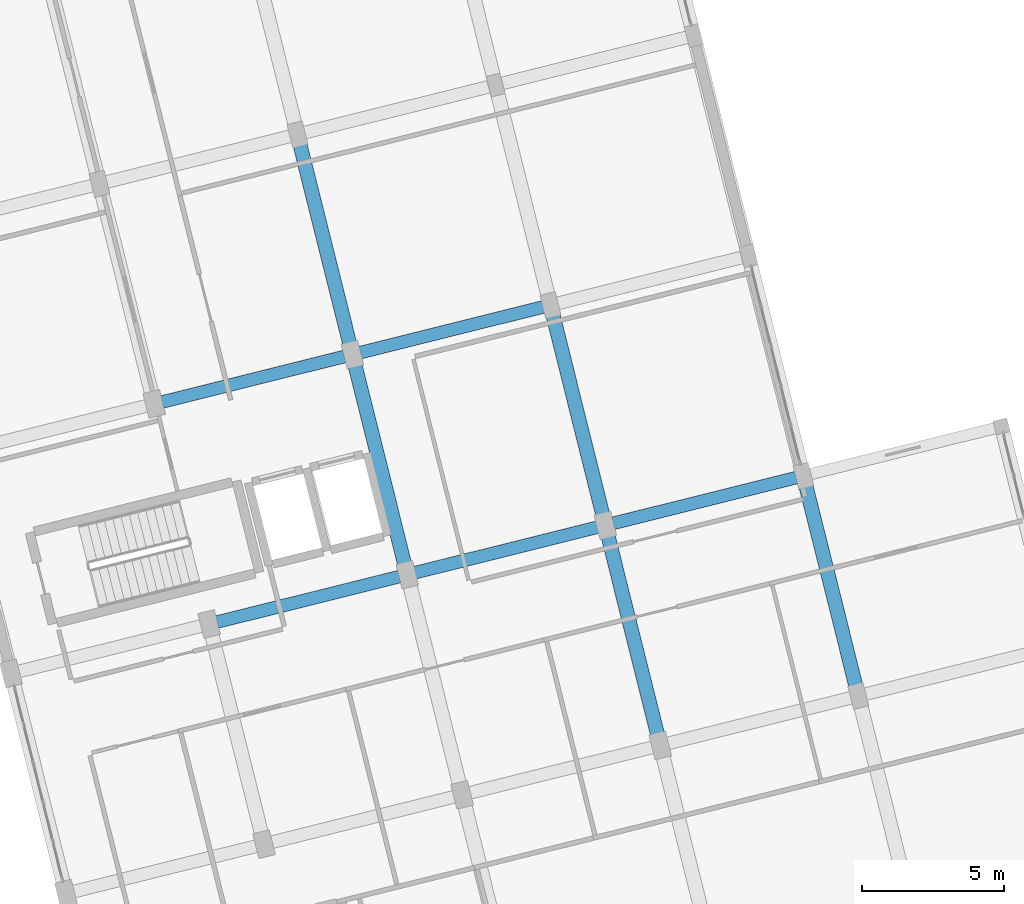
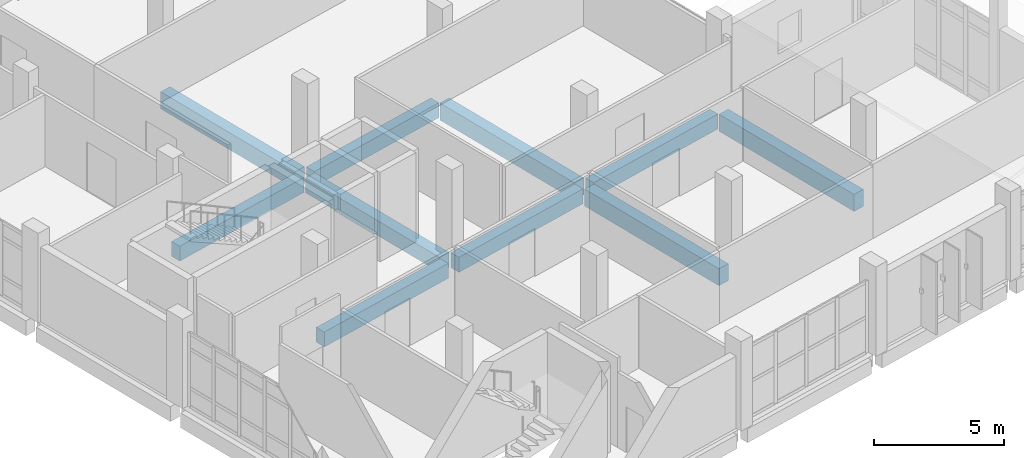
# One storey, part 111 of 164: 10 beams.
"""IFC4 building model written with IfcOpenShell, lengths in metres."""

from ifc_helpers import new_model, si_unit, direction, frame, origin, origin_2d, place, context, subcontext, project, spatial, rectangle, extrude, material, material_profile, profile_set, type_object, element, save


model = new_model("IFC4")

# Units and contexts
model_context = context("Model", 3, precision=1e-05, world=origin(), true_north=direction((0.0, 1.0)))
body_context = subcontext(model_context, "Body", "Model", "MODEL_VIEW")
ifc_project = project(units=[si_unit("LENGTHUNIT", "METRE"), si_unit("AREAUNIT", "SQUARE_METRE"), si_unit("VOLUMEUNIT", "CUBIC_METRE"), si_unit("PLANEANGLEUNIT", "RADIAN"), si_unit("MASSUNIT", "GRAM", prefix="KILO")], contexts=[model_context])

# Site, building, storey
site_placement = place(None, origin())
site = spatial("IfcSite", under=ifc_project, at=site_placement, CompositionType="ELEMENT")
building_placement = place(site_placement, origin())
building = spatial("IfcBuilding", under=site, at=building_placement, Name="Mawjan Specialist Oncology Clinic", CompositionType="ELEMENT")
storey_placement = place(building_placement, frame((0.0, 0.0, 5.0)))
storey = spatial("IfcBuildingStorey", under=building, at=storey_placement, Name="L01", CompositionType="ELEMENT", Elevation=5.0)

# Beams
ifc_material_1 = material(Name="Concrete C40/50", Category="concrete")
ifc_material_profile_1 = material_profile(ifc_material_1, rectangle(XDim=0.449951171875, YDim=0.699951171875, at=origin_2d()), Name="RC BM 450x700", Category="concrete")
ifc_profile_set_1 = profile_set([ifc_material_profile_1], Name="Concrete C40/50")
beam_type_1 = type_object("IfcBeamType", Name="BM-450x700", PredefinedType="BEAM", material=ifc_profile_set_1)
beam_1_placement = place(storey_placement, frame((129.391845703125, 18.135498046875, -0.64990234375), z_axis=(0.970293935913, 0.241929076241, 0.0), x_axis=(-0.241929076241, 0.970293935913, 0.0)))
element("IfcBeam", 1, at=beam_1_placement, inside=storey, type_object=beam_type_1, Name="L01 Collector Beam BM-L01-0596", PredefinedType="BEAM", context=body_context, shape_type="SweptSolid", body=[
    extrude(rectangle(XDim=0.449951171875, YDim=0.699951171875, at=origin_2d()), origin(), (0.0, 0.0, 1.0), 6.630126953125),
])
beam_2_placement = place(storey_placement, frame((136.3779296875, 19.87744140625, -0.64990234375), z_axis=(0.970302579357, 0.241894407734, 0.0), x_axis=(-0.241894407734, 0.970302579357, 0.0)))
element("IfcBeam", 2, at=beam_2_placement, inside=storey, type_object=beam_type_1, Name="L01 Collector Beam BM-L01-0597", PredefinedType="BEAM", context=body_context, shape_type="SweptSolid", body=[
    extrude(rectangle(XDim=0.449951171875, YDim=0.699951171875, at=origin_2d()), origin(), (0.0, 0.0, 1.0), 6.6298828125),
])
beam_3_placement = place(storey_placement, frame((143.3642578125, 21.619140625, -0.64990234375), z_axis=(0.970291216741, 0.24193998164, 0.0), x_axis=(-0.24193998164, 0.970291216741, 0.0)))
element("IfcBeam", 3, at=beam_3_placement, inside=storey, type_object=beam_type_1, Name="L01 Collector Beam BM-L01-0598", PredefinedType="BEAM", context=body_context, shape_type="SweptSolid", body=[
    extrude(rectangle(XDim=0.449951171875, YDim=0.699951171875, at=origin_2d()), origin(), (0.0, 0.0, 1.0), 6.655029296875),
])
beam_4_placement = place(storey_placement, frame((127.45654296875, 25.89794921875, -0.64990234375), z_axis=(0.970302579357, 0.241894407734, 0.0), x_axis=(-0.241894407734, 0.970302579357, 0.0)))
element("IfcBeam", 4, at=beam_4_placement, inside=storey, type_object=beam_type_1, Name="L01 Collector Beam BM-L01-0601", PredefinedType="BEAM", context=body_context, shape_type="SweptSolid", body=[
    extrude(rectangle(XDim=0.449951171875, YDim=0.699951171875, at=origin_2d()), origin(), (0.0, 0.0, 1.0), 6.6298828125),
])
beam_5_placement = place(storey_placement, frame((134.442626953125, 27.6396484375, -0.64990234375), z_axis=(0.970291216741, 0.24193998164, 0.0), x_axis=(-0.24193998164, 0.970291216741, 0.0)))
element("IfcBeam", 5, at=beam_5_placement, inside=storey, type_object=beam_type_1, Name="L01 Collector Beam BM-L01-0602", PredefinedType="BEAM", context=body_context, shape_type="SweptSolid", body=[
    extrude(rectangle(XDim=0.449951171875, YDim=0.699951171875, at=origin_2d()), origin(), (0.0, 0.0, 1.0), 6.655029296875),
])
ifc_material_2 = material(Name="Concrete C45/55", Category="concrete")
ifc_material_profile_2 = material_profile(ifc_material_2, rectangle(XDim=0.5, YDim=0.800048828125, at=origin_2d()), Name="RC BM 500x800", Category="concrete")
ifc_profile_set_2 = profile_set([ifc_material_profile_2], Name="Concrete C45/55")
beam_type_2 = type_object("IfcBeamType", Name="BM-500x800", PredefinedType="BEAM", material=ifc_profile_set_2)
beam_6_placement = place(storey_placement, frame((134.09716796875, 27.847412109375, -0.699951171875), z_axis=(-0.24191911856, 0.970296418666, 0.0), x_axis=(-0.970296418666, -0.24191911856, 0.0)))
element("IfcBeam", 6, at=beam_6_placement, inside=storey, type_object=beam_type_2, Name="L01 Collector Beam BM-L01-0623", PredefinedType="BEAM", context=body_context, shape_type="SweptSolid", body=[
    extrude(rectangle(XDim=0.5, YDim=0.800048828125, at=origin_2d()), origin(), (0.0, 0.0, 1.0), 7.454833984375),
])
beam_7_placement = place(storey_placement, frame((144.9541015625, 14.064453125, -0.699951171875), z_axis=(-0.241940252994, 0.970291149079, 0.0), x_axis=(-0.970291149079, -0.241940252994, 0.0)))
element("IfcBeam", 7, at=beam_7_placement, inside=storey, type_object=beam_type_2, Name="L01 Collector Beam BM-L01-0626", PredefinedType="BEAM", context=body_context, shape_type="SweptSolid", body=[
    extrude(rectangle(XDim=0.5, YDim=0.800048828125, at=origin_2d()), origin(), (0.0, 0.0, 1.0), 7.429931640625),
])
beam_8_placement = place(storey_placement, frame((143.018798828125, 21.82666015625, -0.699951171875), z_axis=(-0.241942262878, 0.970290647916, 0.0), x_axis=(-0.970290647916, -0.241942262878, 0.0)))
element("IfcBeam", 8, at=beam_8_placement, inside=storey, type_object=beam_type_2, Name="L01 Collector Beam BM-L01-0627", PredefinedType="BEAM", context=body_context, shape_type="SweptSolid", body=[
    extrude(rectangle(XDim=0.5, YDim=0.800048828125, at=origin_2d()), origin(), (0.0, 0.0, 1.0), 7.455078125),
])
beam_9_placement = place(storey_placement, frame((151.9462890625, 15.781982421875, -0.699951171875), z_axis=(-0.241921192876, 0.970295901485, 0.0), x_axis=(-0.970295901485, -0.241921192876, 0.0)))
element("IfcBeam", 9, at=beam_9_placement, inside=storey, type_object=beam_type_2, Name="L01 Collector Beam BM-L01-0631", PredefinedType="BEAM", context=body_context, shape_type="SweptSolid", body=[
    extrude(rectangle(XDim=0.5, YDim=0.800048828125, at=origin_2d()), origin(), (0.0, 0.0, 1.0), 7.47998046875),
])
ifc_material_3 = material(Name="Concrete C45/55", Category="concrete")
ifc_material_profile_3 = material_profile(ifc_material_3, rectangle(XDim=0.5, YDim=0.699951171875, at=origin_2d()), Name="RC BM 500x700", Category="concrete")
ifc_profile_set_3 = profile_set([ifc_material_profile_3], Name="Concrete C45/55")
beam_type_3 = type_object("IfcBeamType", Name="SP-500x700", PredefinedType="SPANDREL", material=ifc_profile_set_3)
beam_10_placement = place(storey_placement, frame((136.032470703125, 20.0849609375, -0.64990234375), z_axis=(-0.241909317102, 0.970298862361, 0.0), x_axis=(-0.970298862361, -0.241909317102, 0.0)))
element("IfcBeam", 10, at=beam_10_placement, inside=storey, type_object=beam_type_3, Name="L01 Spandrel Beam BM-L01-0622", PredefinedType="SPANDREL", context=body_context, shape_type="SweptSolid", body=[
    extrude(rectangle(XDim=0.5, YDim=0.699951171875, at=origin_2d()), origin(), (0.0, 0.0, 1.0), 7.429931640625),
])

save(model, "model.ifc")
